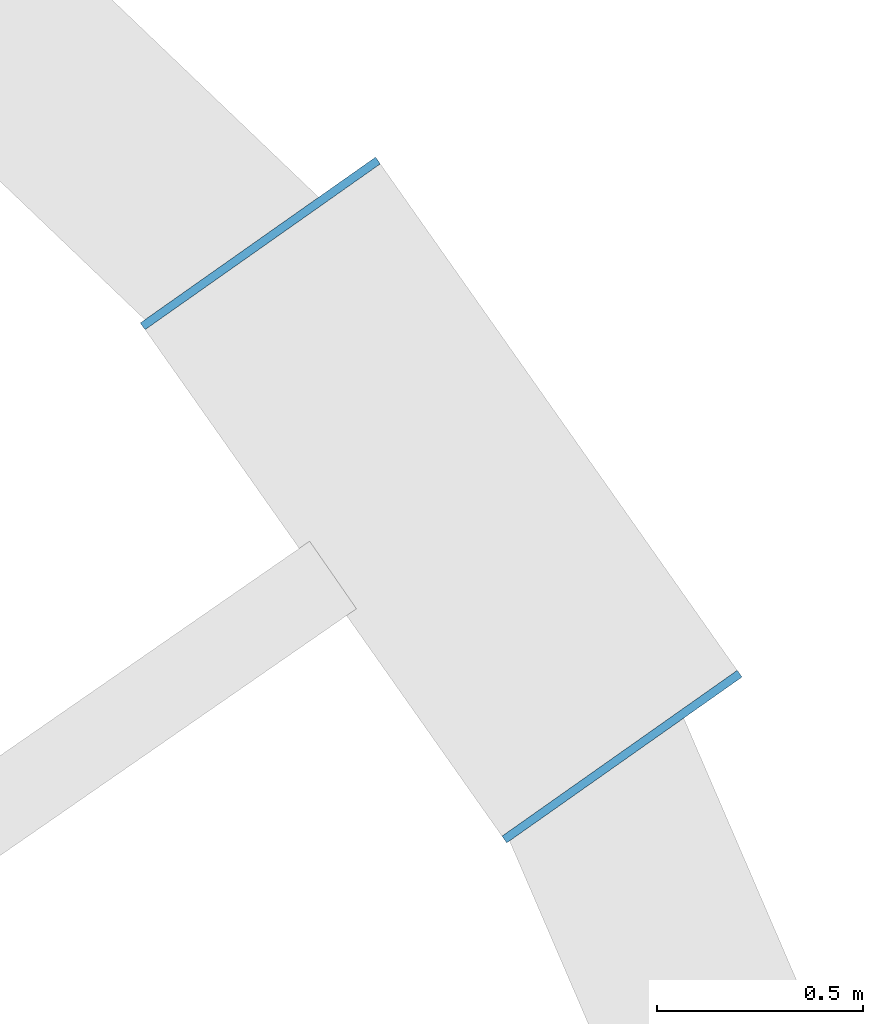
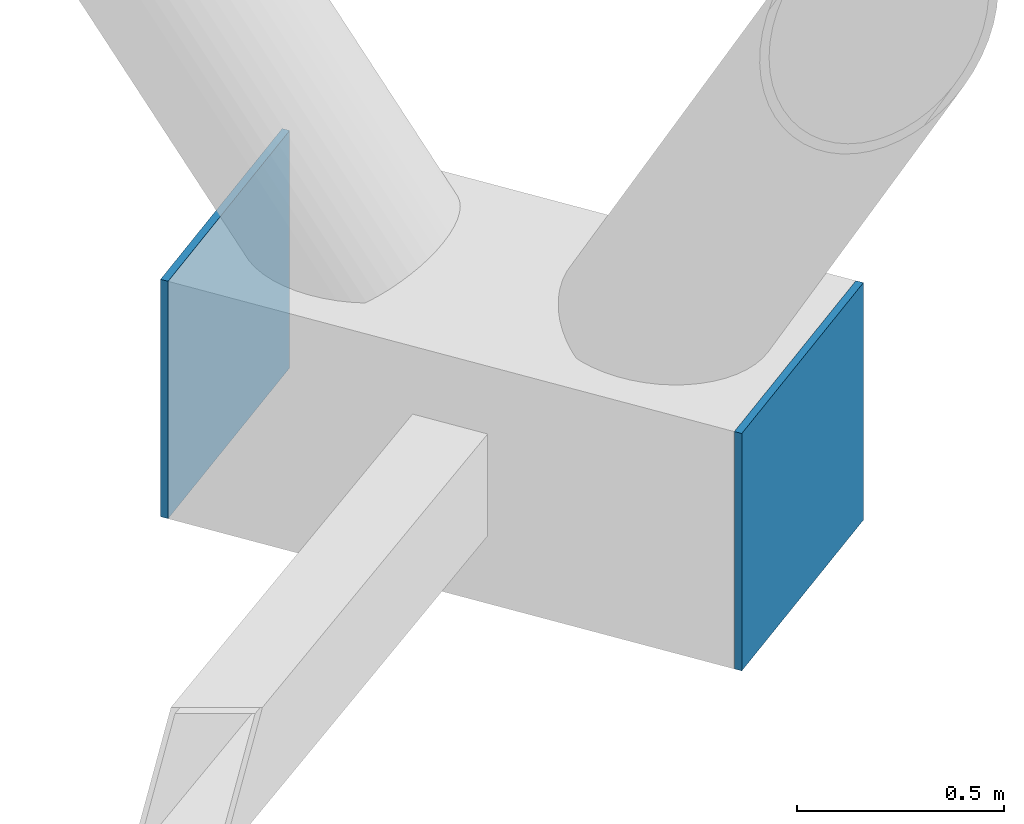
# One storey, part 13 of 21: 2 discrete accessories.
"""IFC4 building model written with IfcOpenShell, lengths in metres."""

from ifc_helpers import new_model, si_unit, direction, frame, origin, origin_2d, place, context, subcontext, project, spatial, rectangle, extrude, material, layer, layer_set, type_object, element, save


model = new_model("IFC4")

# Units and contexts
model_context = context("Model", 3, precision=1e-05, world=origin(), true_north=direction((0.0, 1.0)))
body_context = subcontext(model_context, "Body", "Model", "MODEL_VIEW")
ifc_project = project(units=[si_unit("LENGTHUNIT", "METRE"), si_unit("AREAUNIT", "SQUARE_METRE"), si_unit("VOLUMEUNIT", "CUBIC_METRE"), si_unit("PLANEANGLEUNIT", "RADIAN"), si_unit("MASSUNIT", "GRAM", prefix="KILO")], contexts=[model_context])

# Site, building, storey
site_placement = place(None, origin())
site = spatial("IfcSite", under=ifc_project, at=site_placement, CompositionType="ELEMENT")
building_placement = place(site_placement, origin())
building = spatial("IfcBuilding", under=site, at=building_placement, Name="Siaravel Broadcast Tower", CompositionType="ELEMENT")
storey_placement = place(building_placement, frame((0.0, 0.0, 70.39990234375)))
storey = spatial("IfcBuildingStorey", under=building, at=storey_placement, Name="L16", CompositionType="ELEMENT", Elevation=70.39990234375)

# Discrete accessories
ifc_material = material(Name="Steel S355", Category="steel")
ifc_layer = layer(ifc_material, 0.02001953125)
ifc_layer_set = layer_set([ifc_layer], Name="Steel S355")
discrete_accessory_type = type_object("IfcDiscreteAccessoryType", Name="Steel end plate 20 mm", PredefinedType="USERDEFINED", material=ifc_layer_set)
for number, where, z_axis, x_axis, name in (
    (1, (25.325927734375, 13.302001953125, -0.5498046875), (0.0, 0.0, 1.0), (-0.576119939, 0.817365167, 0.0), "End plate R07 station 06A"),
    (2, (26.20556640625, 12.053955078125, -0.5498046875), (0.0, 0.0, 1.0), (-0.576119939, 0.817365167, 0.0), "End plate R07 station 06B"),
):
    element("IfcDiscreteAccessory", number, at=place(storey_placement, frame(where, z_axis=z_axis, x_axis=x_axis)), inside=storey, type_object=discrete_accessory_type, Name=name, ObjectType="END PLATE", PredefinedType="USERDEFINED", context=body_context, shape_type="SweptSolid", body=[
        extrude(rectangle(XDim=0.02001953125, YDim=0.699951171875, at=origin_2d()), origin(), (0.0, 0.0, 1.0), 0.699951171875),
    ])

save(model, "model.ifc")
